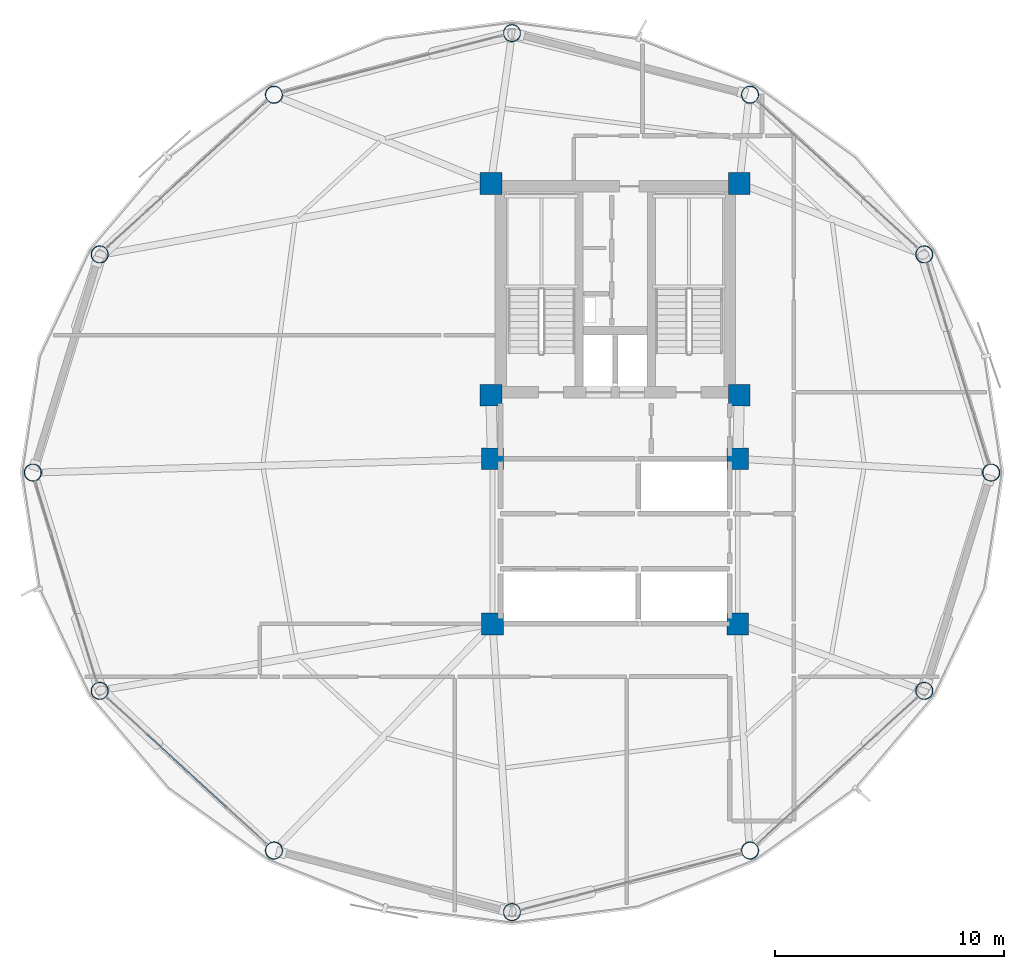
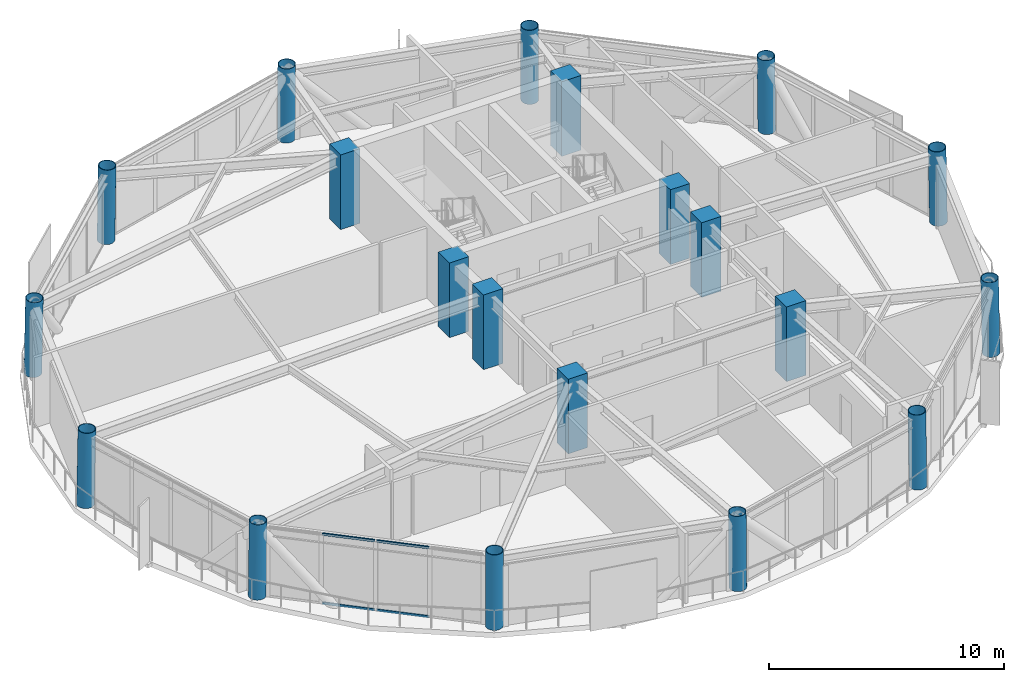
# One storey, part 1 of 27: 20 columns, 4 members, 1 element without a shape of its own.
"""IFC4 building model written with IfcOpenShell, lengths in metres."""

from ifc_helpers import new_model, si_unit, direction, frame, origin, origin_2d, place, context, subcontext, project, spatial, rectangle, hollow_rectangle, hollow_circle, extrude, material, layer, layer_set, material_profile, profile_set, type_object, element, aggregate, save


model = new_model("IFC4")

# Units and contexts
model_context = context("Model", 3, precision=1e-05, world=origin(), true_north=direction((0.0, 1.0)))
body_context = subcontext(model_context, "Body", "Model", "MODEL_VIEW")
ifc_project = project(units=[si_unit("LENGTHUNIT", "METRE"), si_unit("AREAUNIT", "SQUARE_METRE"), si_unit("VOLUMEUNIT", "CUBIC_METRE"), si_unit("PLANEANGLEUNIT", "RADIAN"), si_unit("MASSUNIT", "GRAM", prefix="KILO")], contexts=[model_context])

# Site, building, storey
site_placement = place(None, origin())
site = spatial("IfcSite", under=ifc_project, at=site_placement, CompositionType="ELEMENT")
building_placement = place(site_placement, origin())
building = spatial("IfcBuilding", under=site, at=building_placement, Name="Varnakorn Sky Granary", CompositionType="ELEMENT")
storey_placement = place(building_placement, frame((0.0, 0.0, 142.199951171875)))
storey = spatial("IfcBuildingStorey", under=building, at=storey_placement, Name="L35", CompositionType="ELEMENT", Elevation=142.199951171875)

# Columns
ifc_material_1 = material(Name="Steel S460M", Category="steel")
ifc_material_profile_1 = material_profile(ifc_material_1, hollow_circle(Radius=0.381103515625, WallThickness=0.028076171875, at=origin_2d()), Name="CHS 762x28")
ifc_profile_set_1 = profile_set([ifc_material_profile_1], Name="Steel S460M")
column_type_1 = type_object("IfcColumnType", Name="COL-DC-Z3", PredefinedType="COLUMN", material=ifc_profile_set_1)
for number, where, z_axis, x_axis, name in (
    (1, (19.4169921875, 0.0, 0.0), (-0.017260533083, 0.0, 0.999851025902), (0.0, -1.0, 0.0), "Drum Perimeter Column DC01 L35"),
    (2, (16.497802734375, 9.52392578125, 0.0), (-0.014992999982, -0.006047596631, 0.999869309723), (0.374076451569, -0.927397869515, 0.0), "Drum Perimeter Column DC02 L35"),
):
    element("IfcColumn", number, at=place(storey_placement, frame(where, z_axis=z_axis, x_axis=x_axis)), inside=storey, type_object=column_type_1, Name=name, PredefinedType="COLUMN", context=body_context, shape_type="SweptSolid", body=[
        extrude(hollow_circle(Radius=0.381103515625, WallThickness=0.028076171875, at=origin_2d()), origin(), (0.0, 0.0, 1.0), 3.87548828125),
    ])
for number, where, z_axis, x_axis, name in (
    (3, (8.89111328125, 16.49609375, 0.0), (-0.008693746663, -0.010520693425, 0.999906862552), (0.770863199703, -0.637000727899, 0.0), "Drum Perimeter Column DC03 L35"),
    (4, (-1.5, 19.18310546875, 0.0), (0.0, -0.012158879352, 0.999926078094), (1.0, 0.0, 0.0), "Drum Perimeter Column DC04 L35"),
    (5, (-11.89111328125, 16.49609375, 0.0), (0.008693746663, -0.010520693425, 0.999906862552), (0.770863199703, 0.637000727899, 0.0), "Drum Perimeter Column DC05 L35"),
):
    element("IfcColumn", number, at=place(storey_placement, frame(where, z_axis=z_axis, x_axis=x_axis)), inside=storey, type_object=column_type_1, Name=name, PredefinedType="COLUMN", context=body_context, shape_type="SweptSolid", body=[
        extrude(hollow_circle(Radius=0.381103515625, WallThickness=0.028076171875, at=origin_2d()), origin(), (0.0, 0.0, 1.0), 3.875244140625),
    ])
for number, where, z_axis, x_axis, name in (
    (6, (-19.497802734375, 9.52392578125, 0.0), (0.014992999982, -0.006047596631, 0.999869309723), (0.374076451569, 0.927397869515, 0.0), "Drum Perimeter Column DC06 L35"),
    (7, (-22.4169921875, 0.0, 0.0), (0.017260533083, 0.0, 0.999851025902), (0.0, 1.0, 0.0), "Drum Perimeter Column DC07 L35"),
    (8, (-19.497802734375, -9.52392578125, 0.0), (0.014992999982, 0.006047596631, 0.999869309723), (-0.374076451569, 0.927397869515, 0.0), "Drum Perimeter Column DC08 L35"),
):
    element("IfcColumn", number, at=place(storey_placement, frame(where, z_axis=z_axis, x_axis=x_axis)), inside=storey, type_object=column_type_1, Name=name, PredefinedType="COLUMN", context=body_context, shape_type="SweptSolid", body=[
        extrude(hollow_circle(Radius=0.381103515625, WallThickness=0.028076171875, at=origin_2d()), origin(), (0.0, 0.0, 1.0), 3.87548828125),
    ])
for number, where, z_axis, x_axis, name in (
    (9, (-11.89111328125, -16.49609375, 0.0), (0.008693746663, 0.010520693425, 0.999906862552), (-0.770863199703, 0.637000727899, 0.0), "Drum Perimeter Column DC09 L35"),
    (10, (-1.5, -19.18310546875, 0.0), (0.0, 0.012158879352, 0.999926078094), (-1.0, 0.0, 0.0), "Drum Perimeter Column DC10 L35"),
    (11, (8.89111328125, -16.49609375, 0.0), (-0.008693746663, 0.010520693425, 0.999906862552), (-0.770863199703, -0.637000727899, 0.0), "Drum Perimeter Column DC11 L35"),
):
    element("IfcColumn", number, at=place(storey_placement, frame(where, z_axis=z_axis, x_axis=x_axis)), inside=storey, type_object=column_type_1, Name=name, PredefinedType="COLUMN", context=body_context, shape_type="SweptSolid", body=[
        extrude(hollow_circle(Radius=0.381103515625, WallThickness=0.028076171875, at=origin_2d()), origin(), (0.0, 0.0, 1.0), 3.875244140625),
    ])
column_placement = place(storey_placement, frame((16.497802734375, -9.52392578125, 0.0), z_axis=(-0.014992999982, 0.006047596631, 0.999869309723), x_axis=(-0.374076451569, -0.927397869515, 0.0)))
element("IfcColumn", 12, at=column_placement, inside=storey, type_object=column_type_1, Name="Drum Perimeter Column DC12 L35", PredefinedType="COLUMN", context=body_context, shape_type="SweptSolid", body=[
    extrude(hollow_circle(Radius=0.381103515625, WallThickness=0.028076171875, at=origin_2d()), origin(), (0.0, 0.0, 1.0), 3.87548828125),
])
ifc_material_2 = material(Name="Concrete C50/60", Category="concrete")
ifc_material_profile_2 = material_profile(ifc_material_2, rectangle(XDim=0.949951171875, YDim=0.949951171875, at=origin_2d()), Name="RC 950x950")
ifc_profile_set_2 = profile_set([ifc_material_profile_2], Name="Concrete C50/60")
column_type_2 = type_object("IfcColumnType", Name="COL-MC-Z3", PredefinedType="COLUMN", material=ifc_profile_set_2)
for number, where, z_axis, x_axis, name in (
    (13, (-2.419921875, 12.6201171875, 0.0), (0.0, 0.0, 1.0), (1.0, 0.0, 0.0), "Backbone Mega-Column MC1 L35"),
    (14, (8.419921875, 12.6201171875, 0.0), (0.0, 0.0, 1.0), (1.0, 0.0, 0.0), "Backbone Mega-Column MC2 L35"),
    (15, (-2.419921875, 3.3798828125, 0.0), (0.0, 0.0, 1.0), (1.0, 0.0, 0.0), "Backbone Mega-Column MC3 L35"),
    (16, (8.419921875, 3.3798828125, 0.0), (0.0, 0.0, 1.0), (1.0, 0.0, 0.0), "Backbone Mega-Column MC4 L35"),
    (17, (-2.35009765625, 0.60009765625, 0.0), (0.0, 0.0, 1.0), (1.0, 0.0, 0.0), "Backbone Mega-Column MC5 L35"),
    (18, (8.35009765625, 0.60009765625, 0.0), (0.0, 0.0, 1.0), (1.0, 0.0, 0.0), "Backbone Mega-Column MC6 L35"),
    (19, (-2.35009765625, -6.60009765625, 0.0), (0.0, 0.0, 1.0), (1.0, 0.0, 0.0), "Backbone Mega-Column MC7 L35"),
    (20, (8.35009765625, -6.60009765625, 0.0), (0.0, 0.0, 1.0), (1.0, 0.0, 0.0), "Backbone Mega-Column MC8 L35"),
):
    element("IfcColumn", number, at=place(storey_placement, frame(where, z_axis=z_axis, x_axis=x_axis)), inside=storey, type_object=column_type_2, Name=name, PredefinedType="COLUMN", context=body_context, shape_type="SweptSolid", body=[
        extrude(rectangle(XDim=0.949951171875, YDim=0.949951171875, at=origin_2d()), origin(), (0.0, 0.0, 1.0), 3.875),
    ])

# Curtain wall, members
ifc_material_3 = material(Name="Anodised Bronze Aluminium Alloy 6063-T6", Category="aluminium")
ifc_layer = layer(ifc_material_3, 0.179931640625, Name="Anodised Bronze Aluminium Alloy 6063-T6")
ifc_layer_set = layer_set([ifc_layer], Name="Anodised Bronze Aluminium Alloy 6063-T6")
curtain_wall_type = type_object("IfcCurtainWallType", Name="CW-FRM-2", PredefinedType="USERDEFINED", material=ifc_layer_set)
curtain_wall_placement = place(storey_placement, origin())
curtain_wall = element("IfcCurtainWall", 21, at=curtain_wall_placement, inside=storey, type_object=curtain_wall_type, Name="Unitised Curtain Wall CW4 CW-L35-B08", ObjectType="CURTAIN WALL", PredefinedType="USERDEFINED")
ifc_material_profile_3 = material_profile(ifc_material_3, hollow_rectangle(XDim=0.06494140625, YDim=0.1201171875, WallThickness=0.00341796875, at=origin_2d()), Name="ALU TRAN 65x120")
ifc_profile_set_3 = profile_set([ifc_material_profile_3], Name="Anodised Bronze Aluminium Alloy 6063-T6")
member_type = type_object("IfcMemberType", Name="CW-FRM-2-TRAN", PredefinedType="USERDEFINED", material=ifc_profile_set_3)
member_1_placement = place(storey_placement, frame((-13.98095703125, -14.580322265625, 0.032470703125), z_axis=(-0.737207264756, 0.675666669883, 0.0), x_axis=(-0.675666669883, -0.737207264756, 0.0)))
member_1 = element("IfcMember", 22, at=member_1_placement, type_object=member_type, Name="CW4 transom 2.1", ObjectType="TRANSOM", PredefinedType="USERDEFINED", context=body_context, shape_type="SweptSolid", body=[
    extrude(hollow_rectangle(XDim=0.06494140625, YDim=0.1201171875, WallThickness=0.00341796875, at=origin_2d()), origin(), (0.0, 0.0, 1.0), 2.2890625),
])
member_2_placement = place(storey_placement, frame((-13.98095703125, -14.580322265625, 3.607666015625), z_axis=(-0.737207264756, 0.675666669883, 0.0), x_axis=(-0.675666669883, -0.737207264756, 0.0)))
member_2 = element("IfcMember", 23, at=member_2_placement, type_object=member_type, Name="CW4 transom 2.2", ObjectType="TRANSOM", PredefinedType="USERDEFINED", context=body_context, shape_type="SweptSolid", body=[
    extrude(hollow_rectangle(XDim=0.06494140625, YDim=0.1201171875, WallThickness=0.00341796875, at=origin_2d()), origin(), (0.0, 0.0, 1.0), 2.2890625),
])
member_3_placement = place(storey_placement, frame((-15.72021484375, -12.986328125, 0.032470703125), z_axis=(-0.737207264756, 0.675666669883, 0.0), x_axis=(-0.675666669883, -0.737207264756, 0.0)))
member_3 = element("IfcMember", 24, at=member_3_placement, type_object=member_type, Name="CW4 transom 3.1", ObjectType="TRANSOM", PredefinedType="USERDEFINED", context=body_context, shape_type="SweptSolid", body=[
    extrude(hollow_rectangle(XDim=0.06494140625, YDim=0.1201171875, WallThickness=0.00341796875, at=origin_2d()), origin(), (0.0, 0.0, 1.0), 2.2890625),
])
member_4_placement = place(storey_placement, frame((-15.72021484375, -12.986328125, 3.607666015625), z_axis=(-0.737207264756, 0.675666669883, 0.0), x_axis=(-0.675666669883, -0.737207264756, 0.0)))
member_4 = element("IfcMember", 25, at=member_4_placement, type_object=member_type, Name="CW4 transom 3.2", ObjectType="TRANSOM", PredefinedType="USERDEFINED", context=body_context, shape_type="SweptSolid", body=[
    extrude(hollow_rectangle(XDim=0.06494140625, YDim=0.1201171875, WallThickness=0.00341796875, at=origin_2d()), origin(), (0.0, 0.0, 1.0), 2.2890625),
])
aggregate(curtain_wall, [member_1, member_2, member_3, member_4])

save(model, "model.ifc")
